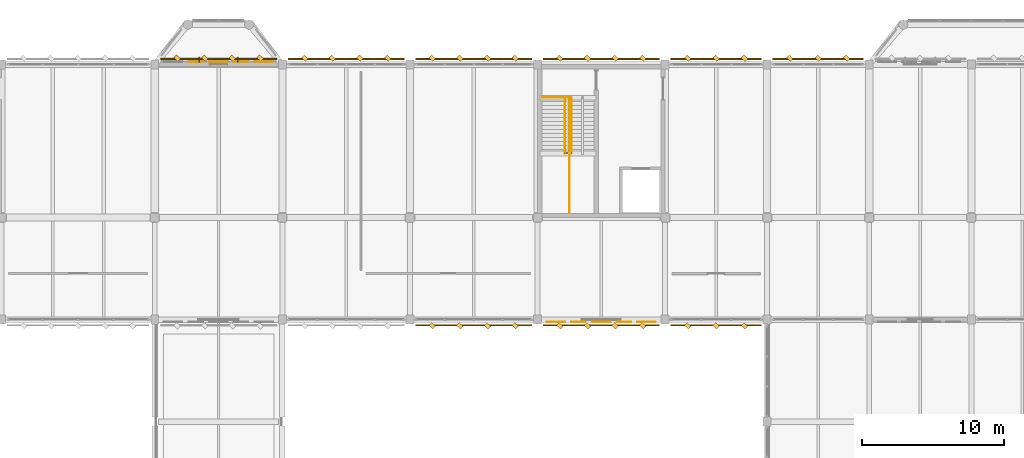
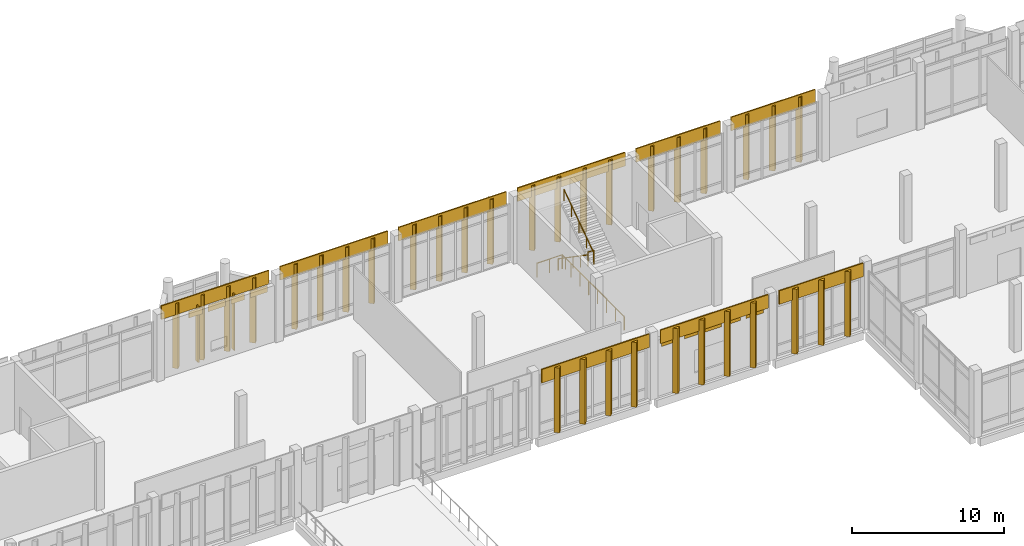
# One storey, part 174 of 180: 53 coverings, 4 railings.
"""IFC4 building model written with IfcOpenShell, lengths in metres."""

from ifc_helpers import new_model, si_unit, direction, frame, origin, origin_2d, place, context, subcontext, project, spatial, rectangle, circle, extrude, material, layer, layer_set, type_object, element, save


model = new_model("IFC4")

# Units and contexts
model_context = context("Model", 3, precision=1e-05, world=origin(), true_north=direction((0.0, 1.0)))
body_context = subcontext(model_context, "Body", "Model", "MODEL_VIEW")
ifc_project = project(units=[si_unit("LENGTHUNIT", "METRE"), si_unit("AREAUNIT", "SQUARE_METRE"), si_unit("VOLUMEUNIT", "CUBIC_METRE"), si_unit("PLANEANGLEUNIT", "RADIAN"), si_unit("MASSUNIT", "GRAM", prefix="KILO")], contexts=[model_context])

# Site, building, storey
site_placement = place(None, origin())
site = spatial("IfcSite", under=ifc_project, at=site_placement, CompositionType="ELEMENT")
building_placement = place(site_placement, origin())
building = spatial("IfcBuilding", under=site, at=building_placement, Name="Lusvemor Sports Hall", CompositionType="ELEMENT")
storey_placement = place(building_placement, frame((0.0, 0.0, 5.39990234375)))
storey = spatial("IfcBuildingStorey", under=building, at=storey_placement, Name="L01", CompositionType="ELEMENT", Elevation=5.39990234375)

# Coverings
ifc_material_1 = material(Name="Emerald polychrome glazed ceramic cladding on Concrete C40/50 backing", Category="concrete")
ifc_layer_1 = layer(ifc_material_1, 0.0458984375)
ifc_layer_set_1 = layer_set([ifc_layer_1], Name="Emerald polychrome glazed ceramic cladding on Concrete C40/50 backing")
covering_type_1 = type_object("IfcCoveringType", Name="CLAD_WAVE_EMERALD", PredefinedType="CLADDING", material=ifc_layer_set_1)
for number, where, z_axis, x_axis, name in (
    (1, (80.10009765625, 115.365478515625, 3.92529296875), (0.0, 0.0, 1.0), (1.0, 0.0, 0.0), "Art Nouveau Patterned Cladding PS-EW-L01-N-1-7-3"),
    (2, (83.300048828125, 115.365478515625, 3.92529296875), (0.0, 0.0, 1.0), (1.0, 0.0, 0.0), "Art Nouveau Patterned Cladding PS-EW-L01-N-1-7-5"),
    (3, (103.89990234375, 97.034423828125, 3.92529296875), (0.0, 0.0, 1.0), (1.0, 0.0, 0.0), "Art Nouveau Patterned Cladding PS-EW-L01-S-3-8-1"),
    (4, (107.10009765625, 97.034423828125, 3.92529296875), (0.0, 0.0, 1.0), (1.0, 0.0, 0.0), "Art Nouveau Patterned Cladding PS-EW-L01-S-3-8-3"),
    (5, (110.300048828125, 97.034423828125, 3.92529296875), (0.0, 0.0, 1.0), (1.0, 0.0, 0.0), "Art Nouveau Patterned Cladding PS-EW-L01-S-3-8-5"),
):
    element("IfcCovering", number, at=place(storey_placement, frame(where, z_axis=z_axis, x_axis=x_axis)), inside=storey, type_object=covering_type_1, Name=name, PredefinedType="CLADDING", context=body_context, shape_type="SweptSolid", body=[
        extrude(rectangle(XDim=1.31201171875, YDim=0.0458984375, at=origin_2d()), origin(), (0.0, 0.0, 1.0), 0.510009765625),
    ])
for number, where, z_axis, x_axis, name in (
    (6, (79.125, 115.639892578125, 0.10009765625), (0.0, 0.0, 1.0), (0.707106781187, 0.707106781187, 0.0), "Patterned Diamond Cladding Rib 714"),
    (7, (83.02490234375, 115.639892578125, 0.10009765625), (0.0, 0.0, 1.0), (0.707106781187, 0.707106781187, 0.0), "Patterned Diamond Cladding Rib 716"),
    (8, (88.125, 115.639892578125, 0.10009765625), (0.0, 0.0, 1.0), (0.707106781187, 0.707106781187, 0.0), "Patterned Diamond Cladding Rib 734"),
    (9, (92.02490234375, 115.639892578125, 0.10009765625), (0.0, 0.0, 1.0), (0.707106781187, 0.707106781187, 0.0), "Patterned Diamond Cladding Rib 736"),
    (10, (97.125, 115.639892578125, 0.10009765625), (0.0, 0.0, 1.0), (0.707106781187, 0.707106781187, 0.0), "Patterned Diamond Cladding Rib 754"),
    (11, (101.02490234375, 115.639892578125, 0.10009765625), (0.0, 0.0, 1.0), (0.707106781187, 0.707106781187, 0.0), "Patterned Diamond Cladding Rib 756"),
    (12, (106.125, 115.639892578125, 0.10009765625), (0.0, 0.0, 1.0), (0.707106781187, 0.707106781187, 0.0), "Patterned Diamond Cladding Rib 774"),
    (13, (110.02490234375, 115.639892578125, 0.10009765625), (0.0, 0.0, 1.0), (0.707106781187, 0.707106781187, 0.0), "Patterned Diamond Cladding Rib 776"),
    (14, (115.199951171875, 115.639892578125, 0.10009765625), (0.0, 0.0, 1.0), (0.707106781187, 0.707106781187, 0.0), "Patterned Diamond Cladding Rib 793"),
    (15, (122.39990234375, 115.639892578125, 0.10009765625), (0.0, 0.0, 1.0), (0.707106781187, 0.707106781187, 0.0), "Patterned Diamond Cladding Rib 816"),
    (16, (97.125, 96.760009765625, 0.10009765625), (0.0, 0.0, 1.0), (0.707106781187, 0.707106781187, 0.0), "Patterned Diamond Cladding Rib 1329"),
    (17, (101.02490234375, 96.760009765625, 0.10009765625), (0.0, 0.0, 1.0), (0.707106781187, 0.707106781187, 0.0), "Patterned Diamond Cladding Rib 1331"),
    (18, (106.125, 96.760009765625, 0.10009765625), (0.0, 0.0, 1.0), (0.707106781187, 0.707106781187, 0.0), "Patterned Diamond Cladding Rib 1349"),
    (19, (110.02490234375, 96.760009765625, 0.10009765625), (0.0, 0.0, 1.0), (0.707106781187, 0.707106781187, 0.0), "Patterned Diamond Cladding Rib 1351"),
    (20, (115.199951171875, 96.760009765625, 0.10009765625), (0.0, 0.0, 1.0), (0.707106781187, 0.707106781187, 0.0), "Patterned Diamond Cladding Rib 1368"),
):
    element("IfcCovering", number, at=place(storey_placement, frame(where, z_axis=z_axis, x_axis=x_axis)), inside=storey, type_object=covering_type_1, Name=name, PredefinedType="CLADDING", context=body_context, shape_type="SweptSolid", body=[
        extrude(rectangle(XDim=0.280029296875, YDim=0.3798828125, at=origin_2d()), origin(), (0.0, 0.0, 1.0), 5.199951171875),
    ])
ifc_material_2 = material(Name="Warm terracotta Art Nouveau ceramic cladding on Concrete C40/50 backing", Category="masonry")
ifc_layer_2 = layer(ifc_material_2, 0.0380859375)
ifc_layer_set_2 = layer_set([ifc_layer_2], Name="Warm terracotta Art Nouveau ceramic cladding on Concrete C40/50 backing")
covering_type_2 = type_object("IfcCoveringType", Name="CLAD_WAVE_OCHRE", PredefinedType="CLADDING", material=ifc_layer_set_2)
for number, where, z_axis, x_axis, name in (
    (21, (78.5, 115.361572265625, 3.92529296875), (0.0, 0.0, 1.0), (1.0, 0.0, 0.0), "Art Nouveau Patterned Cladding PS-EW-L01-N-1-7-2"),
    (22, (81.699951171875, 115.361572265625, 3.92529296875), (0.0, 0.0, 1.0), (1.0, 0.0, 0.0), "Art Nouveau Patterned Cladding PS-EW-L01-N-1-7-4"),
    (23, (105.5, 97.03857421875, 3.92529296875), (0.0, 0.0, 1.0), (1.0, 0.0, 0.0), "Art Nouveau Patterned Cladding PS-EW-L01-S-3-8-2"),
    (24, (108.699951171875, 97.03857421875, 3.92529296875), (0.0, 0.0, 1.0), (1.0, 0.0, 0.0), "Art Nouveau Patterned Cladding PS-EW-L01-S-3-8-4"),
):
    element("IfcCovering", number, at=place(storey_placement, frame(where, z_axis=z_axis, x_axis=x_axis)), inside=storey, type_object=covering_type_2, Name=name, PredefinedType="CLADDING", context=body_context, shape_type="SweptSolid", body=[
        extrude(rectangle(XDim=1.02392578125, YDim=0.0380859375, at=origin_2d()), origin(), (0.0, 0.0, 1.0), 0.510009765625),
    ])
for number, where, z_axis, x_axis, name in (
    (25, (80.10009765625, 115.590087890625, 4.380126953125), (0.0, 0.0, 1.0), (1.0, 0.0, 0.0), "Art Nouveau Spandrel Cornice 712"),
    (26, (89.10009765625, 115.590087890625, 4.380126953125), (0.0, 0.0, 1.0), (1.0, 0.0, 0.0), "Art Nouveau Spandrel Cornice 732"),
    (27, (98.10009765625, 115.590087890625, 4.380126953125), (0.0, 0.0, 1.0), (1.0, 0.0, 0.0), "Art Nouveau Spandrel Cornice 752"),
    (28, (107.10009765625, 115.590087890625, 4.380126953125), (0.0, 0.0, 1.0), (1.0, 0.0, 0.0), "Art Nouveau Spandrel Cornice 772"),
):
    element("IfcCovering", number, at=place(storey_placement, frame(where, z_axis=z_axis, x_axis=x_axis)), inside=storey, type_object=covering_type_2, Name=name, PredefinedType="CLADDING", context=body_context, shape_type="SweptSolid", body=[
        extrude(rectangle(XDim=8.179931640625, YDim=0.090087890625, at=origin_2d()), origin(), (0.0, 0.0, 1.0), 1.080078125),
    ])
for number, where, z_axis, x_axis, name in (
    (29, (115.199951171875, 115.590087890625, 4.380126953125), (0.0, 0.0, 1.0), (1.0, 0.0, 0.0), "Art Nouveau Spandrel Cornice 791"),
    (30, (122.39990234375, 115.590087890625, 4.380126953125), (0.0, 0.0, 1.0), (1.0, 0.0, 0.0), "Art Nouveau Spandrel Cornice 814"),
):
    element("IfcCovering", number, at=place(storey_placement, frame(where, z_axis=z_axis, x_axis=x_axis)), inside=storey, type_object=covering_type_2, Name=name, PredefinedType="CLADDING", context=body_context, shape_type="SweptSolid", body=[
        extrude(rectangle(XDim=6.3798828125, YDim=0.090087890625, at=origin_2d()), origin(), (0.0, 0.0, 1.0), 1.080078125),
    ])
for number, where, z_axis, x_axis, name in (
    (31, (98.10009765625, 96.81005859375, 4.380126953125), (0.0, 0.0, 1.0), (1.0, 0.0, 0.0), "Art Nouveau Spandrel Cornice 1327"),
    (32, (107.10009765625, 96.81005859375, 4.380126953125), (0.0, 0.0, 1.0), (1.0, 0.0, 0.0), "Art Nouveau Spandrel Cornice 1347"),
):
    element("IfcCovering", number, at=place(storey_placement, frame(where, z_axis=z_axis, x_axis=x_axis)), inside=storey, type_object=covering_type_2, Name=name, PredefinedType="CLADDING", context=body_context, shape_type="SweptSolid", body=[
        extrude(rectangle(XDim=8.179931640625, YDim=0.090087890625, at=origin_2d()), origin(), (0.0, 0.0, 1.0), 1.080078125),
    ])
covering_placement = place(storey_placement, frame((115.199951171875, 96.81005859375, 4.380126953125), z_axis=(0.0, 0.0, 1.0), x_axis=(1.0, 0.0, 0.0)))
element("IfcCovering", 33, at=covering_placement, inside=storey, type_object=covering_type_2, Name="Art Nouveau Spandrel Cornice 1366", PredefinedType="CLADDING", context=body_context, shape_type="SweptSolid", body=[
    extrude(rectangle(XDim=6.3798828125, YDim=0.090087890625, at=origin_2d()), origin(), (0.0, 0.0, 1.0), 1.080078125),
])
ifc_material_3 = material(Name="Emerald polychrome glazed ceramic cladding on Concrete C40/50 backing", Category="concrete")
ifc_layer_3 = layer(ifc_material_3, 0.35009765625)
ifc_layer_set_3 = layer_set([ifc_layer_3], Name="Emerald polychrome glazed ceramic cladding on Concrete C40/50 backing")
covering_type_3 = type_object("IfcCoveringType", Name="FIN_BRISE_CER_350", PredefinedType="MOLDING", material=ifc_layer_set_3)
for number, where, z_axis, x_axis, name in (
    (34, (78.739990234375, 115.527587890625, 0.10009765625), (0.0, 0.0, 1.0), (1.0, 0.0, 0.0), "Wing Brise-Soleil Fin L01-N-1-7-1"),
    (35, (81.4599609375, 115.527587890625, 0.10009765625), (0.0, 0.0, 1.0), (1.0, 0.0, 0.0), "Wing Brise-Soleil Fin L01-N-1-7-2"),
):
    element("IfcCovering", number, at=place(storey_placement, frame(where, z_axis=z_axis, x_axis=x_axis)), inside=storey, type_object=covering_type_3, Name=name, PredefinedType="MOLDING", context=body_context, shape_type="SweptSolid", body=[
        extrude(rectangle(XDim=0.080078125, YDim=0.35009765625, at=origin_2d()), origin(), (0.0, 0.0, 1.0), 4.52001953125),
    ])
ifc_material_4 = material(Name="Warm terracotta Art Nouveau ceramic cladding on Concrete C40/50 backing", Category="masonry")
ifc_layer_4 = layer(ifc_material_4, 0.449951171875)
ifc_layer_set_4 = layer_set([ifc_layer_4], Name="Warm terracotta Art Nouveau ceramic cladding on Concrete C40/50 backing")
covering_type_4 = type_object("IfcCoveringType", Name="FIN_BRISE_CER_450", PredefinedType="MOLDING", material=ifc_layer_set_4)
for number, where, z_axis, x_axis, name in (
    (36, (77.175048828125, 115.639892578125, 0.10009765625), (0.0, 0.0, 1.0), (0.707106781187, 0.707106781187, 0.0), "Patterned Diamond Cladding Rib 713"),
    (37, (81.074951171875, 115.639892578125, 0.10009765625), (0.0, 0.0, 1.0), (0.707106781187, 0.707106781187, 0.0), "Patterned Diamond Cladding Rib 715"),
    (38, (86.175048828125, 115.639892578125, 0.10009765625), (0.0, 0.0, 1.0), (0.707106781187, 0.707106781187, 0.0), "Patterned Diamond Cladding Rib 733"),
    (39, (90.074951171875, 115.639892578125, 0.10009765625), (0.0, 0.0, 1.0), (0.707106781187, 0.707106781187, 0.0), "Patterned Diamond Cladding Rib 735"),
    (40, (95.175048828125, 115.639892578125, 0.10009765625), (0.0, 0.0, 1.0), (0.707106781187, 0.707106781187, 0.0), "Patterned Diamond Cladding Rib 753"),
    (41, (99.074951171875, 115.639892578125, 0.10009765625), (0.0, 0.0, 1.0), (0.707106781187, 0.707106781187, 0.0), "Patterned Diamond Cladding Rib 755"),
    (42, (104.175048828125, 115.639892578125, 0.10009765625), (0.0, 0.0, 1.0), (0.707106781187, 0.707106781187, 0.0), "Patterned Diamond Cladding Rib 773"),
    (43, (108.074951171875, 115.639892578125, 0.10009765625), (0.0, 0.0, 1.0), (0.707106781187, 0.707106781187, 0.0), "Patterned Diamond Cladding Rib 775"),
    (44, (113.199951171875, 115.639892578125, 0.10009765625), (0.0, 0.0, 1.0), (0.707106781187, 0.707106781187, 0.0), "Patterned Diamond Cladding Rib 792"),
    (45, (117.199951171875, 115.639892578125, 0.10009765625), (0.0, 0.0, 1.0), (0.707106781187, 0.707106781187, 0.0), "Patterned Diamond Cladding Rib 794"),
    (46, (120.39990234375, 115.639892578125, 0.10009765625), (0.0, 0.0, 1.0), (0.707106781187, 0.707106781187, 0.0), "Patterned Diamond Cladding Rib 815"),
    (47, (124.39990234375, 115.639892578125, 0.10009765625), (0.0, 0.0, 1.0), (0.707106781187, 0.707106781187, 0.0), "Patterned Diamond Cladding Rib 817"),
    (48, (95.175048828125, 96.760009765625, 0.10009765625), (0.0, 0.0, 1.0), (0.707106781187, 0.707106781187, 0.0), "Patterned Diamond Cladding Rib 1328"),
    (49, (99.074951171875, 96.760009765625, 0.10009765625), (0.0, 0.0, 1.0), (0.707106781187, 0.707106781187, 0.0), "Patterned Diamond Cladding Rib 1330"),
    (50, (104.175048828125, 96.760009765625, 0.10009765625), (0.0, 0.0, 1.0), (0.707106781187, 0.707106781187, 0.0), "Patterned Diamond Cladding Rib 1348"),
    (51, (108.074951171875, 96.760009765625, 0.10009765625), (0.0, 0.0, 1.0), (0.707106781187, 0.707106781187, 0.0), "Patterned Diamond Cladding Rib 1350"),
    (52, (113.199951171875, 96.760009765625, 0.10009765625), (0.0, 0.0, 1.0), (0.707106781187, 0.707106781187, 0.0), "Patterned Diamond Cladding Rib 1367"),
    (53, (117.199951171875, 96.760009765625, 0.10009765625), (0.0, 0.0, 1.0), (0.707106781187, 0.707106781187, 0.0), "Patterned Diamond Cladding Rib 1369"),
):
    element("IfcCovering", number, at=place(storey_placement, frame(where, z_axis=z_axis, x_axis=x_axis)), inside=storey, type_object=covering_type_4, Name=name, PredefinedType="MOLDING", context=body_context, shape_type="SweptSolid", body=[
        extrude(rectangle(XDim=0.280029296875, YDim=0.3798828125, at=origin_2d()), origin(), (0.0, 0.0, 1.0), 5.199951171875),
    ])

# Railings
ifc_material_5 = material(Name="Bronze-finished wrought-steel Art Nouveau balustrade", Category="steel")
railing_type_1 = type_object("IfcRailingType", Name="RAIL_HANDRAIL_092", PredefinedType="HANDRAIL", material=ifc_material_5)
railing_1_placement = place(storey_placement, frame((104.5400390625, 112.85009765625, 0.0)))
element("IfcRailing", 54, at=railing_1_placement, inside=storey, type_object=railing_type_1, Name="Stair STR-C4-L01 Handrail F1", PredefinedType="HANDRAIL", context=body_context, shape_type="SweptSolid", body=[
    extrude(circle(Radius=0.02392578125, at=origin_2d()), frame((0.0, 0.0, 0.89599609375), z_axis=(0.0, -0.82354327477, 0.567253448276), x_axis=(1.0, 0.0, 0.0)), (0.0, 0.0, 1.0), 4.760009765625),
    extrude(circle(Radius=0.02099609375, at=origin_2d()), origin(), (0.0, 0.0, 1.0), 0.871826171875),
    extrude(circle(Radius=0.02099609375, at=origin_2d()), frame((0.0, -0.97998046875, 0.675048828125)), (0.0, 0.0, 1.0), 0.871826171875),
    extrude(circle(Radius=0.02099609375, at=origin_2d()), frame((0.0, -1.9599609375, 1.35009765625)), (0.0, 0.0, 1.0), 0.871826171875),
    extrude(circle(Radius=0.02099609375, at=origin_2d()), frame((0.0, -2.940185546875, 2.025146484375)), (0.0, 0.0, 1.0), 0.871826171875),
    extrude(circle(Radius=0.02099609375, at=origin_2d()), frame((0.0, -3.920166015625, 2.7001953125)), (0.0, 0.0, 1.0), 0.871826171875),
])
railing_2_placement = place(storey_placement, frame((104.97998046875, 108.929931640625, 2.7001953125)))
element("IfcRailing", 55, at=railing_2_placement, inside=storey, type_object=railing_type_1, Name="Stair STR-C4-L01 Handrail F2", PredefinedType="HANDRAIL", context=body_context, shape_type="SweptSolid", body=[
    extrude(circle(Radius=0.02392578125, at=origin_2d()), frame((0.0, 0.0, 0.89599609375), z_axis=(0.0, 0.823567234665, 0.567218661528), x_axis=(-1.0, 0.0, 0.0)), (0.0, 0.0, 1.0), 4.760009765625),
    extrude(circle(Radius=0.02099609375, at=origin_2d()), origin(), (0.0, 0.0, 1.0), 0.871826171875),
    extrude(circle(Radius=0.02099609375, at=origin_2d()), frame((0.0, 0.97998046875, 0.675048828125)), (0.0, 0.0, 1.0), 0.871826171875),
    extrude(circle(Radius=0.02099609375, at=origin_2d()), frame((0.0, 1.9599609375, 1.35009765625)), (0.0, 0.0, 1.0), 0.871826171875),
    extrude(circle(Radius=0.02099609375, at=origin_2d()), frame((0.0, 2.940185546875, 2.02490234375)), (0.0, 0.0, 1.0), 0.871826171875),
    extrude(circle(Radius=0.02099609375, at=origin_2d()), frame((0.0, 3.920166015625, 2.699951171875)), (0.0, 0.0, 1.0), 0.871826171875),
])
ifc_material_6 = material(Name="Bronze-finished wrought-steel Art Nouveau balustrade", Category="steel")
railing_type_2 = type_object("IfcRailingType", Name="RAIL_STAIR_GUARD_112", PredefinedType="GUARDRAIL", material=ifc_material_6)
railing_3_placement = place(storey_placement, frame((102.93994140625, 112.8701171875, 0.0)))
element("IfcRailing", 56, at=railing_3_placement, inside=storey, type_object=railing_type_2, Name="Stairwell C4 Top Guard (L01)", PredefinedType="GUARDRAIL", context=body_context, shape_type="SweptSolid", body=[
    extrude(circle(Radius=0.02392578125, at=origin_2d()), frame((0.0, 0.0, 1.09619140625), z_axis=(1.0, 0.0, 0.0), x_axis=(0.0, 1.0, 0.0)), (0.0, 0.0, 1.0), 1.920166015625),
    extrude(circle(Radius=0.02392578125, at=origin_2d()), frame((1.920166015625, 0.0, 1.09619140625), z_axis=(0.0, -1.0, 0.0), x_axis=(1.0, 0.0, 0.0)), (0.0, 0.0, 1.0), 8.130126953125),
    extrude(circle(Radius=0.02099609375, at=origin_2d()), origin(), (0.0, 0.0, 1.0), 1.072021484375),
    extrude(circle(Radius=0.02099609375, at=origin_2d()), frame((0.9599609375, 0.0, 0.0)), (0.0, 0.0, 1.0), 1.072021484375),
    extrude(circle(Radius=0.02099609375, at=origin_2d()), frame((1.920166015625, 0.0, 0.0)), (0.0, 0.0, 1.0), 1.072021484375),
    extrude(circle(Radius=0.02099609375, at=origin_2d()), frame((1.920166015625, -1.161376953125, 0.0)), (0.0, 0.0, 1.0), 1.072021484375),
    extrude(circle(Radius=0.02099609375, at=origin_2d()), frame((1.920166015625, -2.322998046875, 0.0)), (0.0, 0.0, 1.0), 1.072021484375),
    extrude(circle(Radius=0.02099609375, at=origin_2d()), frame((1.920166015625, -3.484375, 0.0)), (0.0, 0.0, 1.0), 1.072021484375),
    extrude(circle(Radius=0.02099609375, at=origin_2d()), frame((1.920166015625, -4.645751953125, 0.0)), (0.0, 0.0, 1.0), 1.072021484375),
    extrude(circle(Radius=0.02099609375, at=origin_2d()), frame((1.920166015625, -5.80712890625, 0.0)), (0.0, 0.0, 1.0), 1.072021484375),
    extrude(circle(Radius=0.02099609375, at=origin_2d()), frame((1.920166015625, -6.96875, 0.0)), (0.0, 0.0, 1.0), 1.072021484375),
    extrude(circle(Radius=0.02099609375, at=origin_2d()), frame((1.920166015625, -8.130126953125, 0.0)), (0.0, 0.0, 1.0), 1.072021484375),
])
railing_4_placement = place(storey_placement, frame((104.5400390625, 108.949951171875, 2.7001953125)))
element("IfcRailing", 57, at=railing_4_placement, inside=storey, type_object=railing_type_2, Name="Stair STR-C4-L01 Mid Well Guard", PredefinedType="GUARDRAIL", context=body_context, shape_type="SweptSolid", body=[
    extrude(circle(Radius=0.02392578125, at=origin_2d()), frame((0.0, 0.0, 1.09619140625), z_axis=(1.0, 0.0, 0.0), x_axis=(0.0, 1.0, 0.0)), (0.0, 0.0, 1.0), 0.43994140625),
    extrude(circle(Radius=0.02099609375, at=origin_2d()), origin(), (0.0, 0.0, 1.0), 1.072021484375),
    extrude(circle(Radius=0.02099609375, at=origin_2d()), frame((0.43994140625, 0.0, 0.0)), (0.0, 0.0, 1.0), 1.072021484375),
])

save(model, "model.ifc")
